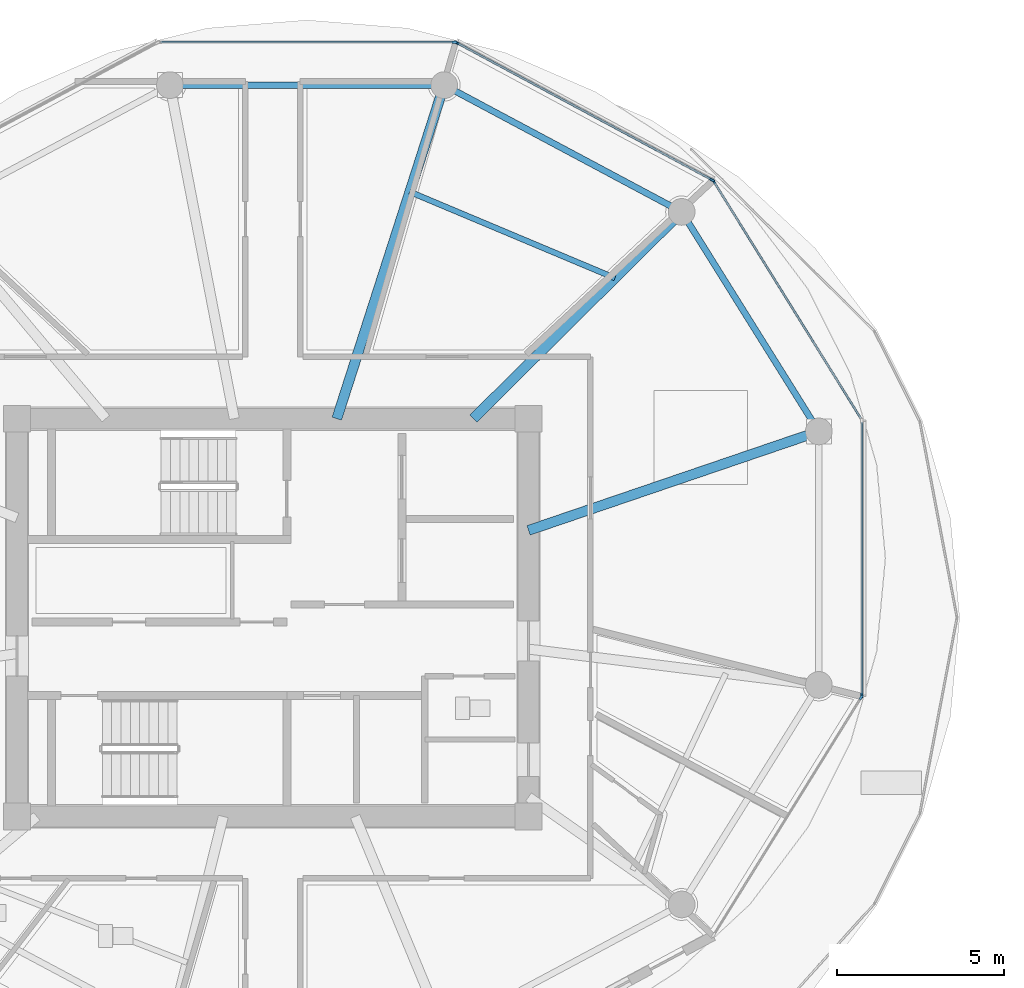
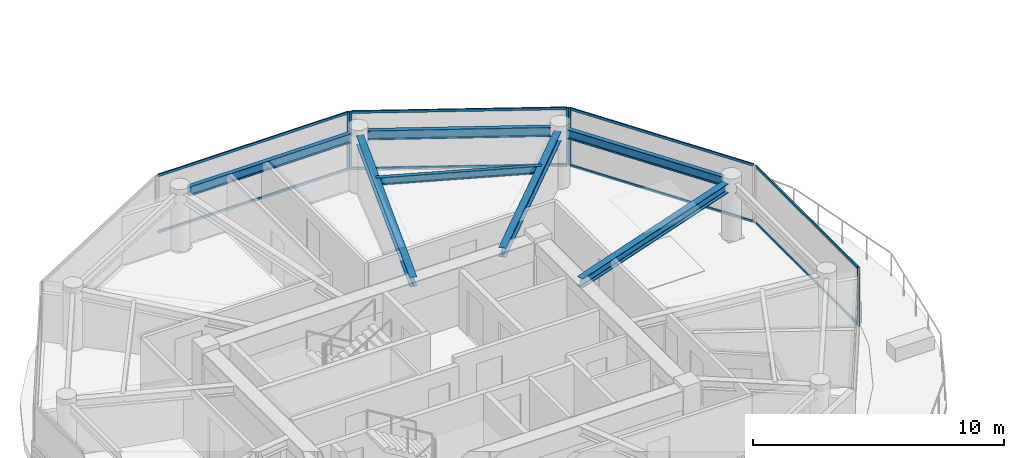
# One storey, part 5 of 28: 14 members, 7 beams, 5 elements without a shape of their own.
"""IFC4 building model written with IfcOpenShell, lengths in metres."""

from ifc_helpers import new_model, si_unit, direction, frame, origin, origin_2d, place, context, subcontext, project, spatial, rectangle, i_section, extrude, source, transform, mapped, material, layer, layer_set, material_profile, profile_set, type_object, type_shapes, element, aggregate, save


model = new_model("IFC4")

# Units and contexts
model_context = context("Model", 3, precision=1e-05, world=origin(), true_north=direction((0.0, 1.0)))
body_context = subcontext(model_context, "Body", "Model", "MODEL_VIEW")
ifc_project = project(units=[si_unit("LENGTHUNIT", "METRE"), si_unit("AREAUNIT", "SQUARE_METRE"), si_unit("VOLUMEUNIT", "CUBIC_METRE"), si_unit("PLANEANGLEUNIT", "RADIAN"), si_unit("MASSUNIT", "GRAM", prefix="KILO")], contexts=[model_context])

# Site, building, storey
site_placement = place(None, origin())
site = spatial("IfcSite", under=ifc_project, at=site_placement, CompositionType="ELEMENT")
building_placement = place(site_placement, origin())
building = spatial("IfcBuilding", under=site, at=building_placement, Name="Norrkilde Senior Care Towers", CompositionType="ELEMENT")
storey_placement = place(building_placement, frame((0.0, 0.0, 134.300048828125)))
storey = spatial("IfcBuildingStorey", under=building, at=storey_placement, Name="L41", CompositionType="ELEMENT", Elevation=134.300048828125)

# Beams
ifc_material_1 = material(Name="Steel S355", Category="steel")
ifc_material_profile_1 = material_profile(ifc_material_1, i_section(OverallWidth=0.18994140625, OverallDepth=0.449951171875, WebThickness=0.009521484375, FlangeThickness=0.0146484375, FilletRadius=0.02099609375, at=origin_2d()), Name="IPE 450")
ifc_profile_set_1 = profile_set([ifc_material_profile_1], Name="Steel S355")
beam_type_1 = type_object("IfcBeamType", Name="Perimeter Ring Spandrel Z3 IPE450", PredefinedType="SPANDREL", material=ifc_profile_set_1)
shared_shape_1 = source(origin(), body_context, "Body", "SweptSolid", [
    extrude(i_section(OverallWidth=0.18994140625, OverallDepth=0.449951171875, WebThickness=0.009521484375, FlangeThickness=0.0146484375, FilletRadius=0.02099609375, at=origin_2d()), origin(), (0.0, 0.0, 1.0), 7.0234375),
])
beam_1_placement = place(storey_placement, frame((-11.855712890625, 5.872314453125, 2.5849609375), z_axis=(-0.529789577822, 0.848129119433, 0.0), x_axis=(-0.848129119433, -0.529789577822, 0.0)))
element("IfcBeam", 1, at=beam_1_placement, inside=storey, type_object=beam_type_1, Name="L41 Drum W Perimeter Spandrel 01", PredefinedType="SPANDREL", context=body_context, shape_type="MappedRepresentation", body=[
    mapped(shared_shape_1, transform((0.0, 0.0, 0.0), x_axis=(1.0, 0.0, 0.0), y_axis=(0.0, 1.0, 0.0), z_axis=(0.0, 0.0, 1.0), scale=1.0)),
])
ifc_material_profile_2 = material_profile(ifc_material_1, i_section(OverallWidth=0.300048828125, OverallDepth=0.449951171875, WebThickness=0.013916015625, FlangeThickness=0.02587890625, FilletRadius=0.027099609375, at=origin_2d()), Name="HEB 450")
ifc_profile_set_2 = profile_set([ifc_material_profile_2], Name="Steel S355")
beam_type_2 = type_object("IfcBeamType", Name="Radial Floor Beam Z3 HEB450", PredefinedType="BEAM", material=ifc_profile_set_2)
shared_shape_2 = source(origin(), body_context, "Body", "SweptSolid", [
    extrude(i_section(OverallWidth=0.300048828125, OverallDepth=0.449951171875, WebThickness=0.013916015625, FlangeThickness=0.02587890625, FilletRadius=0.027099609375, at=origin_2d()), origin(), (0.0, 0.0, 1.0), 8.8154296875),
])
beam_2_placement = place(storey_placement, frame((-20.35009765625, 2.607177734375, 2.5849609375), z_axis=(0.946540556878, 0.322584832539, 0.0), x_axis=(-0.322584832539, 0.946540556878, 0.0)))
element("IfcBeam", 2, at=beam_2_placement, inside=storey, type_object=beam_type_2, Name="L41 Drum W Radial Floor Beam 01", PredefinedType="BEAM", context=body_context, shape_type="MappedRepresentation", body=[
    mapped(shared_shape_2, transform((0.0, 0.0, 0.0), x_axis=(1.0, 0.0, 0.0), y_axis=(0.0, 1.0, 0.0), z_axis=(0.0, 0.0, 1.0), scale=1.0)),
])
shared_shape_3 = source(origin(), body_context, "Body", "SweptSolid", [
    extrude(i_section(OverallWidth=0.18994140625, OverallDepth=0.449951171875, WebThickness=0.009521484375, FlangeThickness=0.0146484375, FilletRadius=0.02099609375, at=origin_2d()), origin(), (0.0, 0.0, 1.0), 7.333740234375),
])
beam_3_placement = place(storey_placement, frame((-16.0849609375, 12.303955078125, 2.5849609375), z_axis=(-0.882247866069, 0.470785198172, 0.0), x_axis=(-0.470785198172, -0.882247866069, 0.0)))
element("IfcBeam", 3, at=beam_3_placement, inside=storey, type_object=beam_type_1, Name="L41 Drum W Perimeter Spandrel 02", PredefinedType="SPANDREL", context=body_context, shape_type="MappedRepresentation", body=[
    mapped(shared_shape_3, transform((0.0, 0.0, 0.0), x_axis=(1.0, 0.0, 0.0), y_axis=(0.0, 1.0, 0.0), z_axis=(0.0, 0.0, 1.0), scale=1.0)),
])
shared_shape_4 = source(origin(), body_context, "Body", "SweptSolid", [
    extrude(i_section(OverallWidth=0.300048828125, OverallDepth=0.449951171875, WebThickness=0.013916015625, FlangeThickness=0.02587890625, FilletRadius=0.027099609375, at=origin_2d()), origin(), (0.0, 0.0, 1.0), 8.421630859375),
])
beam_4_placement = place(storey_placement, frame((-22.001953125, 5.949951171875, 2.5849609375), z_axis=(0.709956495972, 0.704245535184, 0.0), x_axis=(-0.704245535184, 0.709956495972, 0.0)))
element("IfcBeam", 4, at=beam_4_placement, inside=storey, type_object=beam_type_2, Name="L41 Drum W Radial Floor Beam 02", PredefinedType="BEAM", context=body_context, shape_type="MappedRepresentation", body=[
    mapped(shared_shape_4, transform((0.0, 0.0, 0.0), x_axis=(1.0, 0.0, 0.0), y_axis=(0.0, 1.0, 0.0), z_axis=(0.0, 0.0, 1.0), scale=1.0)),
])
shared_shape_5 = source(origin(), body_context, "Body", "SweptSolid", [
    extrude(i_section(OverallWidth=0.18994140625, OverallDepth=0.449951171875, WebThickness=0.009521484375, FlangeThickness=0.0146484375, FilletRadius=0.02099609375, at=origin_2d()), origin(), (0.0, 0.0, 1.0), 7.484619140625),
])
type_shapes(beam_type_1, [shared_shape_1, shared_shape_3, shared_shape_5])
beam_5_placement = place(storey_placement, frame((-23.232666015625, 15.92626953125, 2.5849609375), z_axis=(-1.0, 0.0, 0.0), x_axis=(0.0, -1.0, 0.0)))
element("IfcBeam", 5, at=beam_5_placement, inside=storey, type_object=beam_type_1, Name="L41 Drum W Perimeter Spandrel 03", PredefinedType="SPANDREL", context=body_context, shape_type="MappedRepresentation", body=[
    mapped(shared_shape_5, transform((0.0, 0.0, 0.0), x_axis=(1.0, 0.0, 0.0), y_axis=(0.0, 1.0, 0.0), z_axis=(0.0, 0.0, 1.0), scale=1.0)),
])
shared_shape_6 = source(origin(), body_context, "Body", "SweptSolid", [
    extrude(i_section(OverallWidth=0.300048828125, OverallDepth=0.449951171875, WebThickness=0.013916015625, FlangeThickness=0.02587890625, FilletRadius=0.027099609375, at=origin_2d()), origin(), (0.0, 0.0, 1.0), 10.120361328125),
])
type_shapes(beam_type_2, [shared_shape_2, shared_shape_4, shared_shape_6])
beam_6_placement = place(storey_placement, frame((-26.08447265625, 5.949951171875, 2.5849609375), z_axis=(0.306440973744, 0.951889662519, 0.0), x_axis=(-0.951889662519, 0.306440973744, 0.0)))
element("IfcBeam", 6, at=beam_6_placement, inside=storey, type_object=beam_type_2, Name="L41 Drum W Radial Floor Beam 03", PredefinedType="BEAM", context=body_context, shape_type="MappedRepresentation", body=[
    mapped(shared_shape_6, transform((0.0, 0.0, 0.0), x_axis=(1.0, 0.0, 0.0), y_axis=(0.0, 1.0, 0.0), z_axis=(0.0, 0.0, 1.0), scale=1.0)),
])
ifc_material_profile_3 = material_profile(ifc_material_1, i_section(OverallWidth=0.169921875, OverallDepth=0.360107421875, WebThickness=0.008056640625, FlangeThickness=0.0126953125, FilletRadius=0.01806640625, at=origin_2d()), Name="IPE 360")
ifc_profile_set_3 = profile_set([ifc_material_profile_3], Name="Steel S355")
beam_type_3 = type_object("IfcBeamType", Name="Secondary Floor Joist IPE360", PredefinedType="JOIST", material=ifc_profile_set_3)
shared_shape_7 = source(origin(), body_context, "Body", "SweptSolid", [
    extrude(i_section(OverallWidth=0.169921875, OverallDepth=0.360107421875, WebThickness=0.008056640625, FlangeThickness=0.0126953125, FilletRadius=0.01806640625, at=origin_2d()), origin(), (0.0, 0.0, 1.0), 6.657470703125),
])
type_shapes(beam_type_3, [shared_shape_7])
beam_7_placement = place(storey_placement, frame((-17.762451171875, 10.155517578125, 2.6298828125), z_axis=(-0.921958799252, 0.387287971, 0.0), x_axis=(-0.387287971, -0.921958799252, 0.0)))
element("IfcBeam", 7, at=beam_7_placement, inside=storey, type_object=beam_type_3, Name="L41 Drum W Secondary Floor Joist 1", PredefinedType="JOIST", context=body_context, shape_type="MappedRepresentation", body=[
    mapped(shared_shape_7, transform((0.0, 0.0, 0.0), x_axis=(1.0, 0.0, 0.0), y_axis=(0.0, 1.0, 0.0), z_axis=(0.0, 0.0, 1.0), scale=1.0)),
])

# Curtain wall, member
ifc_material_2 = material(Name="Triple Low-E Insulated Glazing", Category="glass")
ifc_layer = layer(ifc_material_2, 0.18994140625)
ifc_layer_set = layer_set([ifc_layer], Name="Triple Low-E Insulated Glazing")
curtain_wall_type = type_object("IfcCurtainWallType", Name="CW4 Zone 3 Senior Residence Curtain Wall", PredefinedType="NOTDEFINED", material=ifc_layer_set)
curtain_wall_1_placement = place(storey_placement, origin())
curtain_wall_1 = element("IfcCurtainWall", 8, at=curtain_wall_1_placement, inside=storey, type_object=curtain_wall_type, Name="L41 Drum W Curtain Wall 00", PredefinedType="NOTDEFINED")
ifc_material_3 = material(Name="Anodised Aluminium", Category="aluminium")
ifc_material_profile_4 = material_profile(ifc_material_3, rectangle(XDim=0.06494140625, YDim=0.14990234375, at=origin_2d()), Name="ALU MULL 65x150")
ifc_profile_set_4 = profile_set([ifc_material_profile_4], Name="Anodised Aluminium")
member_type_1 = type_object("IfcMemberType", Name="Curtain Wall Mullion Z3-Z4 65x150", PredefinedType="MULLION", material=ifc_profile_set_4)
shared_shape_8 = source(origin(), body_context, "Body", "SweptSolid", [
    extrude(rectangle(XDim=0.06494140625, YDim=0.14990234375, at=origin_2d()), origin(), (0.0, 0.0, 1.0), 2.81005859375),
])
type_shapes(member_type_1, [shared_shape_8])
member_1_placement = place(storey_placement, frame((-14.809814453125, 13.04736328125, 0.0), z_axis=(0.0, 0.0, 1.0), x_axis=(0.84963405474, 0.52737270789, 0.0)))
member_1 = element("IfcMember", 9, at=member_1_placement, type_object=member_type_1, Name="CW-4 mullion 1", PredefinedType="MULLION", context=body_context, shape_type="MappedRepresentation", body=[
    mapped(shared_shape_8, transform((0.0, 0.0, 0.0), x_axis=(1.0, 0.0, 0.0), y_axis=(0.0, 1.0, 0.0), z_axis=(0.0, 0.0, 1.0), scale=1.0)),
])

# Curtain wall, members
curtain_wall_2_placement = place(storey_placement, origin())
curtain_wall_2 = element("IfcCurtainWall", 10, at=curtain_wall_2_placement, inside=storey, type_object=curtain_wall_type, Name="L41 Drum W Curtain Wall 01", PredefinedType="NOTDEFINED")
member_2_placement = place(storey_placement, frame((-22.499755859375, 17.195556640625, 0.0), z_axis=(0.0, 0.0, 1.0), x_axis=(0.47311715104, 0.880999524059, 0.0)))
member_2 = element("IfcMember", 11, at=member_2_placement, type_object=member_type_1, Name="CW-4 mullion 1", PredefinedType="MULLION", context=body_context, shape_type="MappedRepresentation", body=[
    mapped(shared_shape_8, transform((0.0, 0.0, 0.0), x_axis=(1.0, 0.0, 0.0), y_axis=(0.0, 1.0, 0.0), z_axis=(0.0, 0.0, 1.0), scale=1.0)),
])
member_3_placement = place(storey_placement, frame((-14.85546875, 13.09033203125, 0.0), z_axis=(0.0, 0.0, 1.0), x_axis=(0.47311715104, 0.880999524059, 0.0)))
member_3 = element("IfcMember", 12, at=member_3_placement, type_object=member_type_1, Name="CW-4 mullion 2", PredefinedType="MULLION", context=body_context, shape_type="MappedRepresentation", body=[
    mapped(shared_shape_8, transform((0.0, 0.0, 0.0), x_axis=(1.0, 0.0, 0.0), y_axis=(0.0, 1.0, 0.0), z_axis=(0.0, 0.0, 1.0), scale=1.0)),
])

# Curtain wall, member
curtain_wall_3_placement = place(storey_placement, origin())
curtain_wall_3 = element("IfcCurtainWall", 13, at=curtain_wall_3_placement, inside=storey, type_object=curtain_wall_type, Name="L41 Drum W Curtain Wall 02", PredefinedType="NOTDEFINED")
member_4_placement = place(storey_placement, frame((-22.56103515625, 17.2109375, 0.0), z_axis=(0.0, 0.0, 1.0), x_axis=(0.0, 1.0, 0.0)))
member_4 = element("IfcMember", 14, at=member_4_placement, type_object=member_type_1, Name="CW-4 mullion 2", PredefinedType="MULLION", context=body_context, shape_type="MappedRepresentation", body=[
    mapped(shared_shape_8, transform((0.0, 0.0, 0.0), x_axis=(1.0, 0.0, 0.0), y_axis=(0.0, 1.0, 0.0), z_axis=(0.0, 0.0, 1.0), scale=1.0)),
])

curtain_wall_4_placement = place(storey_placement, origin())
curtain_wall_4 = element("IfcCurtainWall", 15, at=curtain_wall_4_placement, inside=storey, type_object=curtain_wall_type, Name="L41 Drum W Curtain Wall 10", PredefinedType="NOTDEFINED")
member_5_placement = place(storey_placement, frame((-10.3974609375, -2.38818359375, 0.0), z_axis=(0.0, 0.0, 1.0), x_axis=(0.84963405474, -0.52737270789, 0.0)))
member_5 = element("IfcMember", 16, at=member_5_placement, type_object=member_type_1, Name="CW-4 mullion 1", PredefinedType="MULLION", context=body_context, shape_type="MappedRepresentation", body=[
    mapped(shared_shape_8, transform((0.0, 0.0, 0.0), x_axis=(1.0, 0.0, 0.0), y_axis=(0.0, 1.0, 0.0), z_axis=(0.0, 0.0, 1.0), scale=1.0)),
])
aggregate(curtain_wall_4, [member_5])

curtain_wall_5_placement = place(storey_placement, origin())
curtain_wall_5 = element("IfcCurtainWall", 17, at=curtain_wall_5_placement, inside=storey, type_object=curtain_wall_type, Name="L41 Drum W Curtain Wall 11", PredefinedType="NOTDEFINED")
member_6_placement = place(storey_placement, frame((-10.38037109375, -2.328125, 0.0), z_axis=(0.0, 0.0, 1.0), x_axis=(1.0, 0.0, 0.0)))
member_6 = element("IfcMember", 18, at=member_6_placement, type_object=member_type_1, Name="CW-4 mullion 2", PredefinedType="MULLION", context=body_context, shape_type="MappedRepresentation", body=[
    mapped(shared_shape_8, transform((0.0, 0.0, 0.0), x_axis=(1.0, 0.0, 0.0), y_axis=(0.0, 1.0, 0.0), z_axis=(0.0, 0.0, 1.0), scale=1.0)),
])

# Member
ifc_material_profile_5 = material_profile(ifc_material_3, rectangle(XDim=0.06005859375, YDim=0.1201171875, at=origin_2d()), Name="ALU TRAN 60x120")
ifc_profile_set_5 = profile_set([ifc_material_profile_5], Name="Anodised Aluminium")
member_type_2 = type_object("IfcMemberType", Name="Curtain Wall Transom Typical 60x120", PredefinedType="USERDEFINED", material=ifc_profile_set_5)
shared_shape_9 = source(origin(), body_context, "Body", "SweptSolid", [
    extrude(rectangle(XDim=0.06005859375, YDim=0.1201171875, at=origin_2d()), origin(), (0.0, 0.0, 1.0), 8.301513671875),
])
member_7_placement = place(storey_placement, frame((-14.792724609375, 13.019775390625, 0.030029296875), z_axis=(0.527368718394, -0.849636531029, 0.0), x_axis=(0.849636531029, 0.527368718394, 0.0)))
member_7 = element("IfcMember", 19, at=member_7_placement, type_object=member_type_2, Name="CW-4 transom 1.1", ObjectType="TRANSOM", PredefinedType="USERDEFINED", context=body_context, shape_type="MappedRepresentation", body=[
    mapped(shared_shape_9, transform((0.0, 0.0, 0.0), x_axis=(1.0, 0.0, 0.0), y_axis=(0.0, 1.0, 0.0), z_axis=(0.0, 0.0, 1.0), scale=1.0)),
])

member_8_placement = place(storey_placement, frame((-14.792724609375, 13.019775390625, 2.780029296875), z_axis=(0.527368718394, -0.849636531029, 0.0), x_axis=(0.849636531029, 0.527368718394, 0.0)))
member_8 = element("IfcMember", 20, at=member_8_placement, type_object=member_type_2, Name="CW-4 transom 1.2", ObjectType="TRANSOM", PredefinedType="USERDEFINED", context=body_context, shape_type="MappedRepresentation", body=[
    mapped(shared_shape_9, transform((0.0, 0.0, 0.0), x_axis=(1.0, 0.0, 0.0), y_axis=(0.0, 1.0, 0.0), z_axis=(0.0, 0.0, 1.0), scale=1.0)),
])

aggregate(curtain_wall_1, [member_1, member_7, member_8])

shared_shape_10 = source(origin(), body_context, "Body", "SweptSolid", [
    extrude(rectangle(XDim=0.06005859375, YDim=0.1201171875, at=origin_2d()), origin(), (0.0, 0.0, 1.0), 8.61181640625),
])
member_9_placement = place(storey_placement, frame((-22.47119140625, 17.18017578125, 0.030029296875), z_axis=(0.880993991641, -0.473127452906, 0.0), x_axis=(0.473127452906, 0.880993991641, 0.0)))
member_9 = element("IfcMember", 21, at=member_9_placement, type_object=member_type_2, Name="CW-4 transom 1.1", ObjectType="TRANSOM", PredefinedType="USERDEFINED", context=body_context, shape_type="MappedRepresentation", body=[
    mapped(shared_shape_10, transform((0.0, 0.0, 0.0), x_axis=(1.0, 0.0, 0.0), y_axis=(0.0, 1.0, 0.0), z_axis=(0.0, 0.0, 1.0), scale=1.0)),
])

member_10_placement = place(storey_placement, frame((-22.47119140625, 17.18017578125, 2.780029296875), z_axis=(0.880993991641, -0.473127452906, 0.0), x_axis=(0.473127452906, 0.880993991641, 0.0)))
member_10 = element("IfcMember", 22, at=member_10_placement, type_object=member_type_2, Name="CW-4 transom 1.2", ObjectType="TRANSOM", PredefinedType="USERDEFINED", context=body_context, shape_type="MappedRepresentation", body=[
    mapped(shared_shape_10, transform((0.0, 0.0, 0.0), x_axis=(1.0, 0.0, 0.0), y_axis=(0.0, 1.0, 0.0), z_axis=(0.0, 0.0, 1.0), scale=1.0)),
])

aggregate(curtain_wall_2, [member_2, member_3, member_9, member_10])

shared_shape_11 = source(origin(), body_context, "Body", "SweptSolid", [
    extrude(rectangle(XDim=0.06005859375, YDim=0.1201171875, at=origin_2d()), origin(), (0.0, 0.0, 1.0), 8.762939453125),
])
member_11_placement = place(storey_placement, frame((-31.3564453125, 17.2109375, 0.030029296875), z_axis=(1.0, 0.0, 0.0), x_axis=(0.0, 1.0, 0.0)))
member_11 = element("IfcMember", 23, at=member_11_placement, type_object=member_type_2, Name="CW-4 transom 1.1", ObjectType="TRANSOM", PredefinedType="USERDEFINED", context=body_context, shape_type="MappedRepresentation", body=[
    mapped(shared_shape_11, transform((0.0, 0.0, 0.0), x_axis=(1.0, 0.0, 0.0), y_axis=(0.0, 1.0, 0.0), z_axis=(0.0, 0.0, 1.0), scale=1.0)),
])

member_12_placement = place(storey_placement, frame((-31.3564453125, 17.2109375, 2.780029296875), z_axis=(1.0, 0.0, 0.0), x_axis=(0.0, 1.0, 0.0)))
member_12 = element("IfcMember", 24, at=member_12_placement, type_object=member_type_2, Name="CW-4 transom 1.2", ObjectType="TRANSOM", PredefinedType="USERDEFINED", context=body_context, shape_type="MappedRepresentation", body=[
    mapped(shared_shape_11, transform((0.0, 0.0, 0.0), x_axis=(1.0, 0.0, 0.0), y_axis=(0.0, 1.0, 0.0), z_axis=(0.0, 0.0, 1.0), scale=1.0)),
])

aggregate(curtain_wall_3, [member_4, member_11, member_12])

shared_shape_12 = source(origin(), body_context, "Body", "SweptSolid", [
    extrude(rectangle(XDim=0.06005859375, YDim=0.1201171875, at=origin_2d()), origin(), (0.0, 0.0, 1.0), 8.141845703125),
])
type_shapes(member_type_2, [shared_shape_9, shared_shape_10, shared_shape_11, shared_shape_12])
member_13_placement = place(storey_placement, frame((-10.38037109375, 5.84619140625, 0.030029296875), z_axis=(0.0, -1.0, 0.0), x_axis=(1.0, 0.0, 0.0)))
member_13 = element("IfcMember", 25, at=member_13_placement, type_object=member_type_2, Name="CW-4 transom 1.1", ObjectType="TRANSOM", PredefinedType="USERDEFINED", context=body_context, shape_type="MappedRepresentation", body=[
    mapped(shared_shape_12, transform((0.0, 0.0, 0.0), x_axis=(1.0, 0.0, 0.0), y_axis=(0.0, 1.0, 0.0), z_axis=(0.0, 0.0, 1.0), scale=1.0)),
])

member_14_placement = place(storey_placement, frame((-10.38037109375, 5.84619140625, 2.780029296875), z_axis=(0.0, -1.0, 0.0), x_axis=(1.0, 0.0, 0.0)))
member_14 = element("IfcMember", 26, at=member_14_placement, type_object=member_type_2, Name="CW-4 transom 1.2", ObjectType="TRANSOM", PredefinedType="USERDEFINED", context=body_context, shape_type="MappedRepresentation", body=[
    mapped(shared_shape_12, transform((0.0, 0.0, 0.0), x_axis=(1.0, 0.0, 0.0), y_axis=(0.0, 1.0, 0.0), z_axis=(0.0, 0.0, 1.0), scale=1.0)),
])

aggregate(curtain_wall_5, [member_6, member_13, member_14])

save(model, "model.ifc")
